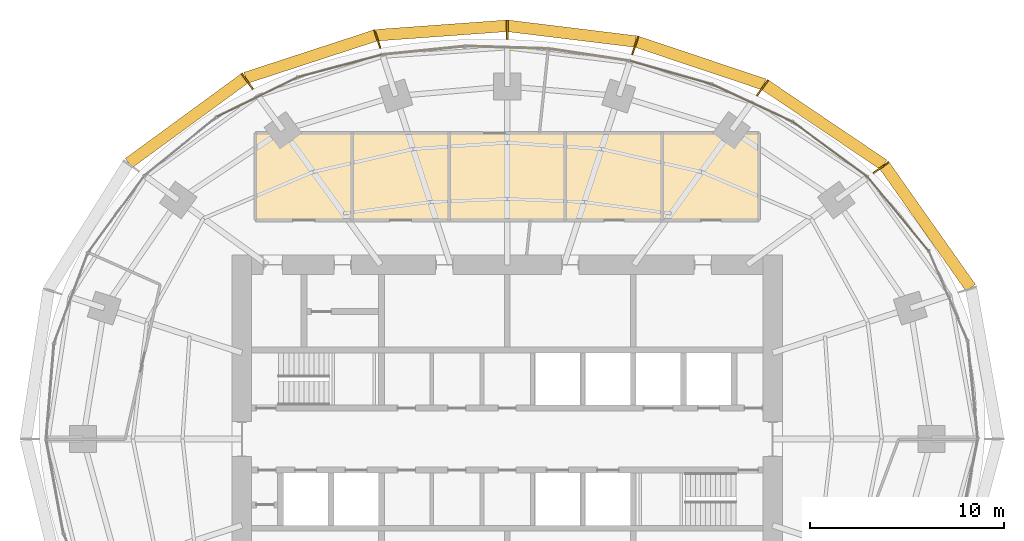
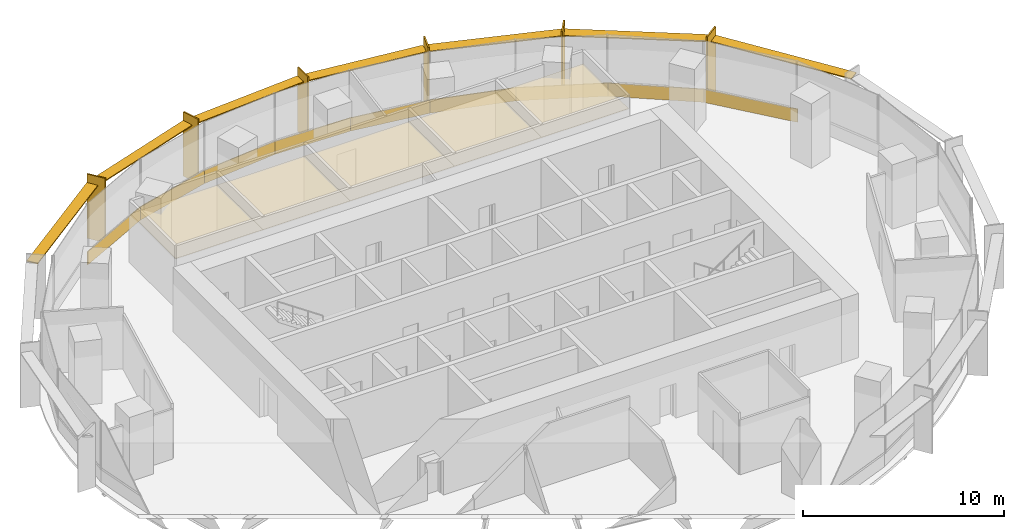
# One storey, part 14 of 14: 14 coverings, 13 shading devices.
"""IFC4 building model written with IfcOpenShell, lengths in metres."""

from ifc_helpers import new_model, si_unit, direction, frame, origin, origin_2d, place, context, subcontext, project, spatial, polyline, rectangle, outline, extrude, material, layer, layer_set, type_object, element, save


model = new_model("IFC4")

# Units and contexts
model_context = context("Model", 3, precision=1e-05, world=origin(), true_north=direction((0.0, 1.0)))
body_context = subcontext(model_context, "Body", "Model", "MODEL_VIEW")
ifc_project = project(units=[si_unit("LENGTHUNIT", "METRE"), si_unit("AREAUNIT", "SQUARE_METRE"), si_unit("VOLUMEUNIT", "CUBIC_METRE"), si_unit("PLANEANGLEUNIT", "RADIAN"), si_unit("MASSUNIT", "GRAM", prefix="KILO")], contexts=[model_context])

# Site, building, storey
site_placement = place(None, origin())
site = spatial("IfcSite", under=ifc_project, at=site_placement, CompositionType="ELEMENT")
building_placement = place(site_placement, origin())
building = spatial("IfcBuilding", under=site, at=building_placement, Name="Marramba Exchange Tower", CompositionType="ELEMENT")
storey_placement = place(building_placement, frame((0.0, 0.0, 238.39990234375)))
storey = spatial("IfcBuildingStorey", under=building, at=storey_placement, Name="L58", CompositionType="ELEMENT", Elevation=238.39990234375)

# Shading devices
ifc_material_1 = material(Name="Aluminium blade, timber-look bronze finish", Category="wood")
ifc_layer_1 = layer(ifc_material_1, 0.080078125)
ifc_layer_set_1 = layer_set([ifc_layer_1], Name="Floor-edge blade 1000x80")
shading_device_type_1 = type_object("IfcShadingDeviceType", Name="Floor-edge blade 1000x80", PredefinedType="USERDEFINED", material=ifc_layer_set_1)
for number, where, z_axis, x_axis, name in (
    (1, (19.298828125, 14.021484375, -0.159912109375), (0.0, 0.0, 1.0), (0.809016994375, 0.587785252292, 0.0), "Floor-edge blade FB1 L58 TC03"),
    (2, (13.176513671875, 18.135986328125, -0.159912109375), (0.0, 0.0, 1.0), (0.587785252292, 0.809016994375, 0.0), "Floor-edge blade FB1 L58 TC04"),
    (3, (6.605712890625, 20.330078125, -0.159912109375), (0.0, 0.0, 1.0), (0.309016994375, 0.951056516295, 0.0), "Floor-edge blade FB1 L58 TC05"),
    (4, (0.0, 21.13623046875, -0.159912109375), (0.0, 0.0, 1.0), (0.0, 1.0, 0.0), "Floor-edge blade FB1 L58 TC06"),
    (5, (-6.7119140625, 20.657470703125, -0.159912109375), (0.0, 0.0, 1.0), (-0.309016994375, 0.951056516295, 0.0), "Floor-edge blade FB1 L58 TC07"),
    (6, (-13.422607421875, 18.474609375, -0.159912109375), (0.0, 0.0, 1.0), (-0.587785252292, 0.809016994375, 0.0), "Floor-edge blade FB1 L58 TC08"),
):
    element("IfcShadingDevice", number, at=place(storey_placement, frame(where, z_axis=z_axis, x_axis=x_axis)), inside=storey, type_object=shading_device_type_1, Name=name, ObjectType="FIN", PredefinedType="USERDEFINED", context=body_context, shape_type="SweptSolid", body=[
        extrude(rectangle(XDim=1.0, YDim=0.080078125, at=origin_2d()), origin(), (0.0, 0.0, 1.0), 3.89990234375),
    ])
ifc_material_2 = material(Name="Aluminium sunshade, bronze anodised", Category="aluminium")
ifc_layer_2 = layer(ifc_material_2, 0.06005859375)
ifc_layer_set_2 = layer_set([ifc_layer_2], Name="SUNSHADE blade 600x60")
shading_device_type_2 = type_object("IfcShadingDeviceType", Name="SUNSHADE blade 600x60", PredefinedType="USERDEFINED", material=ifc_layer_set_2)
shading_device_1_placement = place(storey_placement, frame((21.703857421875, 10.9599609375, 3.16015625), z_axis=(0.0, 0.0, 1.0), x_axis=(-0.576555118613, 0.81705825692, 0.0)))
element("IfcShadingDevice", 7, at=shading_device_1_placement, inside=storey, type_object=shading_device_type_2, Name="Sunshade SS1 L58 bay 02", ObjectType="SUNSHADE", PredefinedType="USERDEFINED", context=body_context, shape_type="SweptSolid", body=[
    extrude(rectangle(XDim=7.70166015625, YDim=0.60009765625, at=origin_2d()), origin(), (0.0, 0.0, 1.0), 0.06005859375),
])
shading_device_2_placement = place(storey_placement, frame((16.37744140625, 16.218505859375, 3.16015625), z_axis=(0.0, 0.0, 1.0), x_axis=(-0.829071447151, 0.559142679035, 0.0)))
element("IfcShadingDevice", 8, at=shading_device_2_placement, inside=storey, type_object=shading_device_type_2, Name="Sunshade SS1 L58 bay 03", ObjectType="SUNSHADE", PredefinedType="USERDEFINED", context=body_context, shape_type="SweptSolid", body=[
    extrude(rectangle(XDim=7.35791015625, YDim=0.60009765625, at=origin_2d()), origin(), (0.0, 0.0, 1.0), 0.06005859375),
])
shading_device_3_placement = place(storey_placement, frame((9.980712890625, 19.4091796875, 3.16015625), z_axis=(0.0, 0.0, 1.0), x_axis=(-0.948096437223, 0.317982933073, 0.0)))
element("IfcShadingDevice", 9, at=shading_device_3_placement, inside=storey, type_object=shading_device_type_2, Name="Sunshade SS1 L58 bay 04", ObjectType="SUNSHADE", PredefinedType="USERDEFINED", context=body_context, shape_type="SweptSolid", body=[
    extrude(rectangle(XDim=6.909423828125, YDim=0.60009765625, at=origin_2d()), origin(), (0.0, 0.0, 1.0), 0.06005859375),
])
shading_device_4_placement = place(storey_placement, frame((3.333740234375, 20.92822265625, 3.16015625), z_axis=(0.0, 0.0, 1.0), x_axis=(-0.992595256045, 0.121468751853, 0.0)))
element("IfcShadingDevice", 10, at=shading_device_4_placement, inside=storey, type_object=shading_device_type_2, Name="Sunshade SS1 L58 bay 05", ObjectType="SUNSHADE", PredefinedType="USERDEFINED", context=body_context, shape_type="SweptSolid", body=[
    extrude(rectangle(XDim=6.63720703125, YDim=0.60009765625, at=origin_2d()), origin(), (0.0, 0.0, 1.0), 0.06005859375),
])
shading_device_5_placement = place(storey_placement, frame((-3.386962890625, 21.092041015625, 3.16015625), z_axis=(0.0, 0.0, 1.0), x_axis=(-0.997407641713, -0.071958295234, 0.0)))
element("IfcShadingDevice", 11, at=shading_device_5_placement, inside=storey, type_object=shading_device_type_2, Name="Sunshade SS1 L58 bay 06", ObjectType="SUNSHADE", PredefinedType="USERDEFINED", context=body_context, shape_type="SweptSolid", body=[
    extrude(rectangle(XDim=6.71142578125, YDim=0.60009765625, at=origin_2d()), origin(), (0.0, 0.0, 1.0), 0.06005859375),
])
shading_device_6_placement = place(storey_placement, frame((-10.156982421875, 19.741943359375, 3.16015625), z_axis=(0.0, 0.0, 1.0), x_axis=(-0.950537602937, -0.310609506297, 0.0)))
element("IfcShadingDevice", 12, at=shading_device_6_placement, inside=storey, type_object=shading_device_type_2, Name="Sunshade SS1 L58 bay 07", ObjectType="SUNSHADE", PredefinedType="USERDEFINED", context=body_context, shape_type="SweptSolid", body=[
    extrude(rectangle(XDim=7.03857421875, YDim=0.60009765625, at=origin_2d()), origin(), (0.0, 0.0, 1.0), 0.06005859375),
])
shading_device_7_placement = place(storey_placement, frame((-16.55810546875, 16.4296875, 3.16015625), z_axis=(0.0, 0.0, 1.0), x_axis=(-0.80719390073, -0.59028637679, 0.0)))
element("IfcShadingDevice", 13, at=shading_device_7_placement, inside=storey, type_object=shading_device_type_2, Name="Sunshade SS1 L58 bay 08", ObjectType="SUNSHADE", PredefinedType="USERDEFINED", context=body_context, shape_type="SweptSolid", body=[
    extrude(rectangle(XDim=7.3974609375, YDim=0.60009765625, at=origin_2d()), origin(), (0.0, 0.0, 1.0), 0.06005859375),
])

# Coverings
ifc_material_3 = material(Name="Aluminium spandrel panel, bronze anodised, insulated", Category="aluminium")
ifc_layer_3 = layer(ifc_material_3, 0.050048828125)
ifc_layer_set_3 = layer_set([ifc_layer_3], Name="Spandrel panel 800")
covering_type_1 = type_object("IfcCoveringType", Name="Spandrel panel 800", PredefinedType="CLADDING", material=ifc_layer_set_3)
covering_1_placement = place(storey_placement, frame((20.193603515625, 11.608642578125, 0.0), z_axis=(0.0, 0.0, 1.0), x_axis=(-0.637350224586, 0.770574260678, 0.0)))
element("IfcCovering", 14, at=covering_1_placement, inside=storey, type_object=covering_type_1, Name="Spandrel panel SP1 L58 F03", PredefinedType="CLADDING", context=body_context, shape_type="SweptSolid", body=[
    extrude(rectangle(XDim=4.9658203125, YDim=0.050048828125, at=origin_2d()), origin(), (0.0, 0.0, 1.0), 0.800048828125),
])
covering_2_placement = place(storey_placement, frame((16.677001953125, 14.94775390625, 0.0), z_axis=(0.0, 0.0, 1.0), x_axis=(-0.804877256733, 0.593441321104, 0.0)))
element("IfcCovering", 15, at=covering_2_placement, inside=storey, type_object=covering_type_1, Name="Spandrel panel SP1 L58 F04", PredefinedType="CLADDING", context=body_context, shape_type="SweptSolid", body=[
    extrude(rectangle(XDim=4.805908203125, YDim=0.050048828125, at=origin_2d()), origin(), (0.0, 0.0, 1.0), 0.800048828125),
])
covering_3_placement = place(storey_placement, frame((12.65869140625, 17.344482421875, 0.0), z_axis=(0.0, 0.0, 1.0), x_axis=(-0.906533903661, 0.422133014005, 0.0)))
element("IfcCovering", 16, at=covering_3_placement, inside=storey, type_object=covering_type_1, Name="Spandrel panel SP1 L58 F05", PredefinedType="CLADDING", context=body_context, shape_type="SweptSolid", body=[
    extrude(rectangle(XDim=4.5986328125, YDim=0.050048828125, at=origin_2d()), origin(), (0.0, 0.0, 1.0), 0.800048828125),
])
covering_4_placement = place(storey_placement, frame((8.45849609375, 18.91845703125, 0.0), z_axis=(0.0, 0.0, 1.0), x_axis=(-0.961658952783, 0.274248169607, 0.0)))
element("IfcCovering", 17, at=covering_4_placement, inside=storey, type_object=covering_type_1, Name="Spandrel panel SP1 L58 F06", PredefinedType="CLADDING", context=body_context, shape_type="SweptSolid", body=[
    extrude(rectangle(XDim=4.39990234375, YDim=0.050048828125, at=origin_2d()), origin(), (0.0, 0.0, 1.0), 0.800048828125),
])
covering_5_placement = place(storey_placement, frame((4.230712890625, 19.839599609375, 0.0), z_axis=(0.0, 0.0, 1.0), x_axis=(-0.988868065308, 0.148794991224, 0.0)))
element("IfcCovering", 18, at=covering_5_placement, inside=storey, type_object=covering_type_1, Name="Spandrel panel SP1 L58 F07", PredefinedType="CLADDING", context=body_context, shape_type="SweptSolid", body=[
    extrude(rectangle(XDim=4.27197265625, YDim=0.050048828125, at=origin_2d()), origin(), (0.0, 0.0, 1.0), 0.800048828125),
])
covering_6_placement = place(storey_placement, frame((-0.0068359375, 20.221923828125, 0.0), z_axis=(0.0, 0.0, 1.0), x_axis=(-0.999537999985, 0.030393857689, 0.0)))
element("IfcCovering", 19, at=covering_6_placement, inside=storey, type_object=covering_type_1, Name="Spandrel panel SP1 L58 F08", PredefinedType="CLADDING", context=body_context, shape_type="SweptSolid", body=[
    extrude(rectangle(XDim=4.252685546875, YDim=0.050048828125, at=origin_2d()), origin(), (0.0, 0.0, 1.0), 0.800048828125),
])
covering_7_placement = place(storey_placement, frame((-4.290771484375, 20.06787109375, 0.0), z_axis=(0.0, 0.0, 1.0), x_axis=(-0.994900357732, -0.10086266993, 0.0)))
element("IfcCovering", 20, at=covering_7_placement, inside=storey, type_object=covering_type_1, Name="Spandrel panel SP1 L58 F09", PredefinedType="CLADDING", context=body_context, shape_type="SweptSolid", body=[
    extrude(rectangle(XDim=4.33935546875, YDim=0.050048828125, at=origin_2d()), origin(), (0.0, 0.0, 1.0), 0.800048828125),
])
covering_8_placement = place(storey_placement, frame((-8.620361328125, 19.27001953125, 0.0), z_axis=(0.0, 0.0, 1.0), x_axis=(-0.966240651433, -0.257641230237, 0.0)))
element("IfcCovering", 21, at=covering_8_placement, inside=storey, type_object=covering_type_1, Name="Spandrel panel SP1 L58 F10", PredefinedType="CLADDING", context=body_context, shape_type="SweptSolid", body=[
    extrude(rectangle(XDim=4.49365234375, YDim=0.050048828125, at=origin_2d()), origin(), (0.0, 0.0, 1.0), 0.800048828125),
])
covering_9_placement = place(storey_placement, frame((-12.88818359375, 17.666748046875, 0.0), z_axis=(0.0, 0.0, 1.0), x_axis=(-0.898500520314, -0.438972453572, 0.0)))
element("IfcCovering", 22, at=covering_9_placement, inside=storey, type_object=covering_type_1, Name="Spandrel panel SP1 L58 F11", PredefinedType="CLADDING", context=body_context, shape_type="SweptSolid", body=[
    extrude(rectangle(XDim=4.667236328125, YDim=0.050048828125, at=origin_2d()), origin(), (0.0, 0.0, 1.0), 0.800048828125),
])
ifc_material_4 = material(Name="Mineral fibre ceiling tiles", Category="gypsum")
ifc_layer_4 = layer(ifc_material_4, 0.02001953125)
ifc_layer_set_4 = layer_set([ifc_layer_4], Name="Suspended ceiling 20")
covering_type_2 = type_object("IfcCoveringType", Name="Suspended ceiling 20", PredefinedType="CEILING", material=ifc_layer_set_4)
covering_10_placement = place(storey_placement, frame((0.0, 0.0, 2.900146484375)))
element("IfcCovering", 23, at=covering_10_placement, inside=storey, type_object=covering_type_2, Name="Ceiling CL1 L58 Meeting Room 1", PredefinedType="CEILING", context=body_context, shape_type="SweptSolid", body=[
    extrude(outline(polyline([(-8.0, 11.300048828125), (-13.0, 11.300048828125), (-13.0, 15.800048828125), (-8.0, 15.800048828125), (-8.0, 11.300048828125)])), origin(), (0.0, 0.0, 1.0), 0.02001953125),
])
covering_11_placement = place(storey_placement, frame((0.0, 0.0, 2.900146484375)))
element("IfcCovering", 24, at=covering_11_placement, inside=storey, type_object=covering_type_2, Name="Ceiling CL1 L58 Meeting Room 2", PredefinedType="CEILING", context=body_context, shape_type="SweptSolid", body=[
    extrude(outline(polyline([(-3.0, 11.300048828125), (-8.0, 11.300048828125), (-8.0, 15.800048828125), (-3.0, 15.800048828125), (-3.0, 11.300048828125)])), origin(), (0.0, 0.0, 1.0), 0.02001953125),
])
covering_12_placement = place(storey_placement, frame((0.0, 0.0, 2.900146484375)))
element("IfcCovering", 25, at=covering_12_placement, inside=storey, type_object=covering_type_2, Name="Ceiling CL1 L58 Meeting Room 3", PredefinedType="CEILING", context=body_context, shape_type="SweptSolid", body=[
    extrude(outline(polyline([(3.0, 15.800048828125), (3.0, 11.300048828125), (-3.0, 11.300048828125), (-3.0, 15.800048828125), (3.0, 15.800048828125)])), origin(), (0.0, 0.0, 1.0), 0.02001953125),
])
covering_13_placement = place(storey_placement, frame((0.0, 0.0, 2.900146484375)))
element("IfcCovering", 26, at=covering_13_placement, inside=storey, type_object=covering_type_2, Name="Ceiling CL1 L58 Interview Room 1", PredefinedType="CEILING", context=body_context, shape_type="SweptSolid", body=[
    extrude(outline(polyline([(8.0, 11.300048828125), (3.0, 11.300048828125), (3.0, 15.800048828125), (8.0, 15.800048828125), (8.0, 11.300048828125)])), origin(), (0.0, 0.0, 1.0), 0.02001953125),
])
covering_14_placement = place(storey_placement, frame((0.0, 0.0, 2.900146484375)))
element("IfcCovering", 27, at=covering_14_placement, inside=storey, type_object=covering_type_2, Name="Ceiling CL1 L58 Interview Room 2", PredefinedType="CEILING", context=body_context, shape_type="SweptSolid", body=[
    extrude(outline(polyline([(13.0, 11.300048828125), (8.0, 11.300048828125), (8.0, 15.800048828125), (13.0, 15.800048828125), (13.0, 11.300048828125)])), origin(), (0.0, 0.0, 1.0), 0.02001953125),
])

save(model, "model.ifc")
